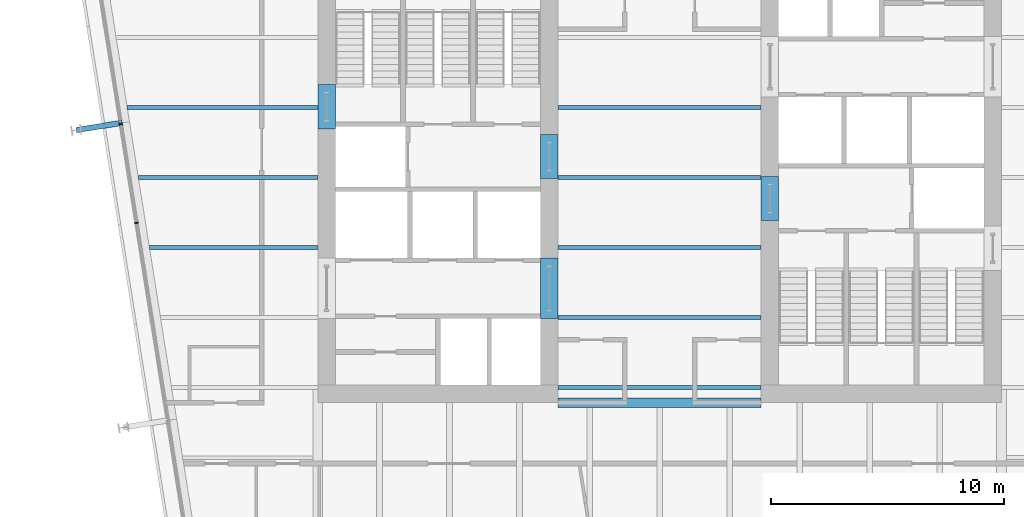
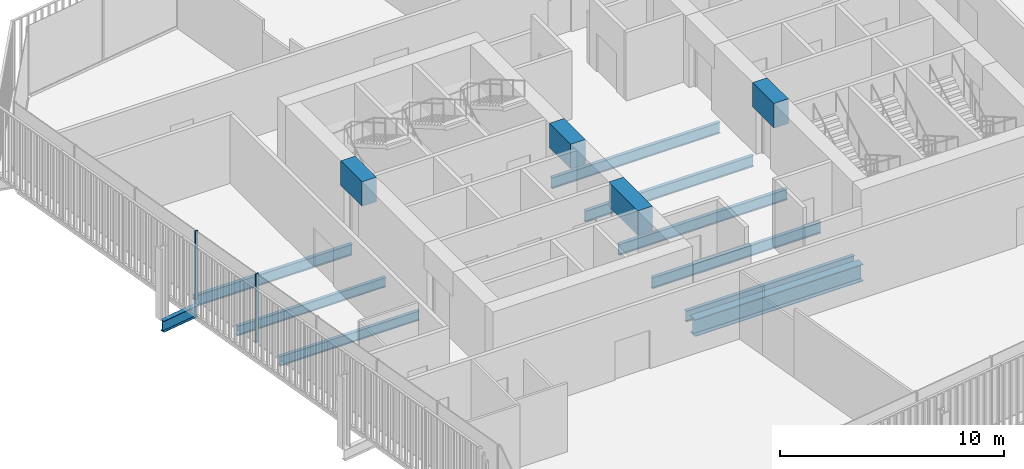
# One storey, part 6 of 21: 14 beams, 2 members, 1 element without a shape of its own.
"""IFC4 building model written with IfcOpenShell, lengths in metres."""

from ifc_helpers import new_model, si_unit, direction, frame, origin, origin_2d, place, context, subcontext, project, spatial, rectangle, i_section, extrude, material, layer, layer_set, material_profile, profile_set, type_object, element, aggregate, save


model = new_model("IFC4")

# Units and contexts
model_context = context("Model", 3, precision=1e-05, world=origin(), true_north=direction((0.0, 1.0)))
body_context = subcontext(model_context, "Body", "Model", "MODEL_VIEW")
ifc_project = project(units=[si_unit("LENGTHUNIT", "METRE"), si_unit("AREAUNIT", "SQUARE_METRE"), si_unit("VOLUMEUNIT", "CUBIC_METRE"), si_unit("PLANEANGLEUNIT", "RADIAN"), si_unit("MASSUNIT", "GRAM", prefix="KILO")], contexts=[model_context])

# Site, building, storey
site_placement = place(None, origin())
site = spatial("IfcSite", under=ifc_project, at=site_placement, CompositionType="ELEMENT")
building_placement = place(site_placement, origin())
building = spatial("IfcBuilding", under=site, at=building_placement, Name="Millrace Tower", CompositionType="ELEMENT")
storey_placement = place(building_placement, frame((0.0, 0.0, 156.800048828125)))
storey = spatial("IfcBuildingStorey", under=building, at=storey_placement, Name="L35", CompositionType="ELEMENT", Elevation=156.800048828125)

# Curtain wall, members
ifc_material_1 = material(Name="Aluminium and glass", Category="aluminium")
ifc_layer = layer(ifc_material_1, 0.14990234375)
ifc_layer_set = layer_set([ifc_layer], Name="Aluminium and glass")
curtain_wall_type = type_object("IfcCurtainWallType", Name="CW-1 office vision curtain wall", PredefinedType="NOTDEFINED", material=ifc_layer_set)
curtain_wall_placement = place(storey_placement, origin())
curtain_wall = element("IfcCurtainWall", 1, at=curtain_wall_placement, inside=storey, type_object=curtain_wall_type, Name="Curtain wall C-F08 L35", PredefinedType="NOTDEFINED")
ifc_material_2 = material(Name="Aluminium", Category="aluminium")
ifc_material_profile_1 = material_profile(ifc_material_2, rectangle(XDim=0.06494140625, YDim=0.14990234375, at=origin_2d()))
ifc_profile_set_1 = profile_set([ifc_material_profile_1], Name="Aluminium")
member_type = type_object("IfcMemberType", Name="CW-1 office vision curtain wall mullion", PredefinedType="MULLION", material=ifc_profile_set_1)
member_1_placement = place(storey_placement, frame((-23.088623046875, 2.300537109375, 0.139892578125), z_axis=(0.0, 0.0, 1.0), x_axis=(0.15643447328, -0.98768833929, 0.0)))
member_1 = element("IfcMember", 2, at=member_1_placement, type_object=member_type, Name="CW1 mullion C-F08.4", PredefinedType="MULLION", context=body_context, shape_type="SweptSolid", body=[
    extrude(rectangle(XDim=0.06494140625, YDim=0.14990234375, at=origin_2d()), origin(), (0.0, 0.0, 1.0), 3.760009765625),
])
member_2_placement = place(storey_placement, frame((-22.416015625, -1.946533203125, 0.139892578125), z_axis=(0.0, 0.0, 1.0), x_axis=(0.15643447328, -0.98768833929, 0.0)))
member_2 = element("IfcMember", 3, at=member_2_placement, type_object=member_type, Name="CW1 mullion C-F08.5", PredefinedType="MULLION", context=body_context, shape_type="SweptSolid", body=[
    extrude(rectangle(XDim=0.06494140625, YDim=0.14990234375, at=origin_2d()), origin(), (0.0, 0.0, 1.0), 3.760009765625),
])
aggregate(curtain_wall, [member_1, member_2])

# Beams
ifc_material_3 = material(Name="Concrete C70", Category="concrete")
ifc_material_profile_2 = material_profile(ifc_material_3, rectangle(XDim=0.75, YDim=1.340087890625, at=origin_2d()))
ifc_profile_set_2 = profile_set([ifc_material_profile_2], Name="Concrete C70")
beam_type_1 = type_object("IfcBeamType", Name="Coupling beam 750 x 1340 Concrete C70, 1300 opening", PredefinedType="BEAM", material=ifc_profile_set_2)
beam_1_placement = place(storey_placement, frame((-14.27490234375, 2.080078125, 3.070068359375), z_axis=(0.0, 1.0, 0.0), x_axis=(-1.0, 0.0, 0.0)))
element("IfcBeam", 4, at=beam_1_placement, inside=storey, type_object=beam_type_1, Name="Coupling beam W L35", PredefinedType="BEAM", context=body_context, shape_type="SweptSolid", body=[
    extrude(rectangle(XDim=0.75, YDim=1.340087890625, at=origin_2d()), origin(), (0.0, 0.0, 1.0), 1.89990234375),
])
for number, where, z_axis, x_axis, name in (
    (5, (-4.72509765625, -0.050048828125, 3.070068359375), (0.0, 1.0, 0.0), (-1.0, 0.0, 0.0), "Coupling beam W L35"),
    (6, (4.72509765625, 0.050048828125, 3.070068359375), (0.0, -1.0, 0.0), (1.0, 0.0, 0.0), "Coupling beam E L35"),
):
    element("IfcBeam", number, at=place(storey_placement, frame(where, z_axis=z_axis, x_axis=x_axis)), inside=storey, type_object=beam_type_1, Name=name, PredefinedType="BEAM", context=body_context, shape_type="SweptSolid", body=[
        extrude(rectangle(XDim=0.75, YDim=1.340087890625, at=origin_2d()), origin(), (0.0, 0.0, 1.0), 1.900146484375),
    ])
ifc_material_4 = material(Name="Concrete C70", Category="concrete")
ifc_material_profile_3 = material_profile(ifc_material_4, rectangle(XDim=0.75, YDim=1.340087890625, at=origin_2d()))
ifc_profile_set_3 = profile_set([ifc_material_profile_3], Name="Concrete C70")
beam_type_2 = type_object("IfcBeamType", Name="Coupling beam 750 x 1340 Concrete C70, 2000 opening", PredefinedType="BEAM", material=ifc_profile_set_3)
beam_2_placement = place(storey_placement, frame((-4.72509765625, -6.050048828125, 3.070068359375), z_axis=(0.0, 1.0, 0.0), x_axis=(-1.0, 0.0, 0.0)))
element("IfcBeam", 7, at=beam_2_placement, inside=storey, type_object=beam_type_2, Name="Coupling beam W L35", PredefinedType="BEAM", context=body_context, shape_type="SweptSolid", body=[
    extrude(rectangle(XDim=0.75, YDim=1.340087890625, at=origin_2d()), origin(), (0.0, 0.0, 1.0), 2.60009765625),
])
ifc_material_5 = material(Name="Steel ASTM A992 Grade 50", Category="steel")
ifc_material_profile_4 = material_profile(ifc_material_5, i_section(OverallWidth=0.1650390625, OverallDepth=0.52587890625, WebThickness=0.0087890625, FlangeThickness=0.011474609375, FilletRadius=0.0126953125, at=origin_2d()))
ifc_profile_set_4 = profile_set([ifc_material_profile_4], Name="Steel ASTM A992 Grade 50")
beam_type_3 = type_object("IfcBeamType", Name="Floor beam W21x44", PredefinedType="JOIST", material=ifc_profile_set_4)
beam_3_placement = place(storey_placement, frame((-21.862060546875, -3.0, -0.4228515625), z_axis=(1.0, 0.0, 0.0), x_axis=(0.0, 1.0, 0.0)))
element("IfcBeam", 8, at=beam_3_placement, inside=storey, type_object=beam_type_3, Name="BM-C-L35-S1-S017", PredefinedType="JOIST", context=body_context, shape_type="SweptSolid", body=[
    extrude(i_section(OverallWidth=0.1650390625, OverallDepth=0.52587890625, WebThickness=0.0087890625, FlangeThickness=0.011474609375, FilletRadius=0.0126953125, at=origin_2d()), origin(), (0.0, 0.0, 1.0), 7.212158203125),
])
beam_4_placement = place(storey_placement, frame((-22.337158203125, 0.0, -0.4228515625), z_axis=(1.0, 0.0, 0.0), x_axis=(0.0, 1.0, 0.0)))
element("IfcBeam", 9, at=beam_4_placement, inside=storey, type_object=beam_type_3, Name="BM-C-L35-S1-S020", PredefinedType="JOIST", context=body_context, shape_type="SweptSolid", body=[
    extrude(i_section(OverallWidth=0.1650390625, OverallDepth=0.52587890625, WebThickness=0.0087890625, FlangeThickness=0.011474609375, FilletRadius=0.0126953125, at=origin_2d()), origin(), (0.0, 0.0, 1.0), 7.687255859375),
])
ifc_material_6 = material(Name="Steel ASTM A992 Grade 50", Category="steel")
ifc_material_profile_5 = material_profile(ifc_material_6, i_section(OverallWidth=0.177978515625, OverallDepth=0.599365234375, WebThickness=0.010009765625, FlangeThickness=0.012939453125, FilletRadius=0.012939453125, at=origin_2d()))
ifc_profile_set_5 = profile_set([ifc_material_profile_5], Name="Steel ASTM A992 Grade 50")
beam_type_4 = type_object("IfcBeamType", Name="Floor beam W24x55", PredefinedType="JOIST", material=ifc_profile_set_5)
for number, where, z_axis, x_axis, name in (
    (10, (-4.35009765625, -9.0, -0.459716796875), (1.0, 0.0, 0.0), (0.0, 1.0, 0.0), "BM-C-L35-S1-S010"),
    (11, (-4.35009765625, -6.0, -0.459716796875), (1.0, 0.0, 0.0), (0.0, 1.0, 0.0), "BM-C-L35-S1-S013"),
    (12, (-4.35009765625, -3.0, -0.459716796875), (1.0, 0.0, 0.0), (0.0, 1.0, 0.0), "BM-C-L35-S1-S016"),
    (13, (-4.35009765625, 0.0, -0.459716796875), (1.0, 0.0, 0.0), (0.0, 1.0, 0.0), "BM-C-L35-S1-S019"),
    (14, (-4.35009765625, 3.0, -0.459716796875), (1.0, 0.0, 0.0), (0.0, 1.0, 0.0), "BM-C-L35-S1-S022"),
):
    element("IfcBeam", number, at=place(storey_placement, frame(where, z_axis=z_axis, x_axis=x_axis)), inside=storey, type_object=beam_type_4, Name=name, PredefinedType="JOIST", context=body_context, shape_type="SweptSolid", body=[
        extrude(i_section(OverallWidth=0.177978515625, OverallDepth=0.599365234375, WebThickness=0.010009765625, FlangeThickness=0.012939453125, FilletRadius=0.012939453125, at=origin_2d()), origin(), (0.0, 0.0, 1.0), 8.7001953125),
    ])
beam_5_placement = place(storey_placement, frame((-22.812255859375, 3.0, -0.459716796875), z_axis=(1.0, 0.0, 0.0), x_axis=(0.0, 1.0, 0.0)))
element("IfcBeam", 15, at=beam_5_placement, inside=storey, type_object=beam_type_4, Name="BM-C-L35-S1-S023", PredefinedType="JOIST", context=body_context, shape_type="SweptSolid", body=[
    extrude(i_section(OverallWidth=0.177978515625, OverallDepth=0.599365234375, WebThickness=0.010009765625, FlangeThickness=0.012939453125, FilletRadius=0.012939453125, at=origin_2d()), origin(), (0.0, 0.0, 1.0), 8.162353515625),
])
ifc_material_7 = material(Name="Steel ASTM A992 Grade 50", Category="steel")
ifc_material_profile_6 = material_profile(ifc_material_7, i_section(OverallWidth=0.419189453125, OverallDepth=0.927001953125, WebThickness=0.019287109375, FlangeThickness=0.031982421875, FilletRadius=0.024169921875, at=origin_2d()))
ifc_profile_set_6 = profile_set([ifc_material_profile_6], Name="Steel ASTM A992 Grade 50")
beam_type_5 = type_object("IfcBeamType", Name="Girder short span W36x231", PredefinedType="BEAM", material=ifc_profile_set_6)
beam_6_placement = place(storey_placement, frame((-4.35009765625, -9.64990234375, -0.62353515625), z_axis=(1.0, 0.0, 0.0), x_axis=(0.0, 1.0, 0.0)))
element("IfcBeam", 16, at=beam_6_placement, inside=storey, type_object=beam_type_5, Name="BM-C-L35-S1-G062", PredefinedType="BEAM", context=body_context, shape_type="SweptSolid", body=[
    extrude(i_section(OverallWidth=0.419189453125, OverallDepth=0.927001953125, WebThickness=0.019287109375, FlangeThickness=0.031982421875, FilletRadius=0.024169921875, at=origin_2d()), origin(), (0.0, 0.0, 1.0), 8.7001953125),
])
ifc_material_8 = material(Name="Steel ASTM A992 Grade 50", Category="steel")
ifc_material_profile_7 = material_profile(ifc_material_8, i_section(OverallWidth=0.23046875, OverallDepth=0.6171875, WebThickness=0.01318359375, FlangeThickness=0.022216796875, FilletRadius=0.012939453125, at=origin_2d()))
ifc_profile_set_7 = profile_set([ifc_material_profile_7], Name="Steel ASTM A992 Grade 50")
beam_type_6 = type_object("IfcBeamType", Name="Link beam W24x94", PredefinedType="BEAM", material=ifc_profile_set_7)
beam_7_placement = place(storey_placement, frame((-23.019775390625, 2.344482421875, -0.46875), z_axis=(-0.987678691416, -0.156495375404, 0.0), x_axis=(0.156495375404, -0.987678691416, 0.0)))
element("IfcBeam", 17, at=beam_7_placement, inside=storey, type_object=beam_type_6, Name="LNK-C-L35-S1-03", PredefinedType="BEAM", context=body_context, shape_type="SweptSolid", body=[
    extrude(i_section(OverallWidth=0.23046875, OverallDepth=0.6171875, WebThickness=0.01318359375, FlangeThickness=0.022216796875, FilletRadius=0.012939453125, at=origin_2d()), origin(), (0.0, 0.0, 1.0), 2.0),
])

save(model, "model.ifc")
